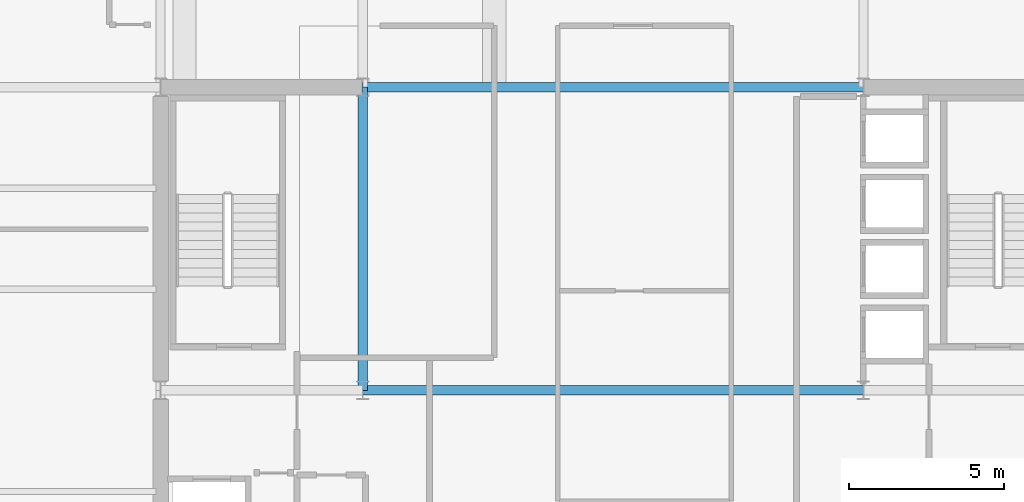
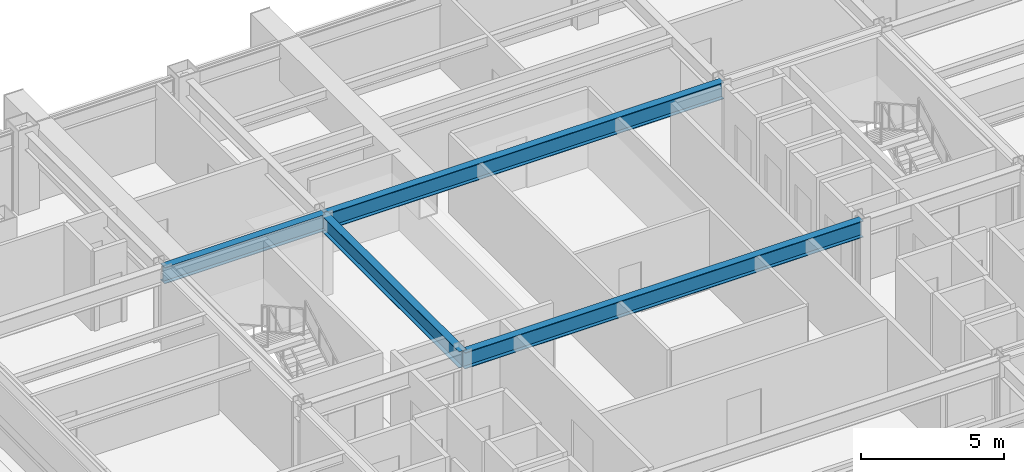
# One storey, part 12 of 34: 4 beams.
"""IFC4 building model written with IfcOpenShell, lengths in metres."""

import ifcopenshell
import ifcopenshell.guid

model = None  # the IFC model being written
_history = None  # IfcOwnerHistory: only IFC2X3 demands one
_inside = {}  # id of a spatial element -> (the spatial element, [elements in it])
_under = {}  # id of a project, library or spatial element -> (it, [spatial elements below it])
_declared = {}  # id of a project -> (the project, [libraries it declares])
_typed = {}  # id of a type object -> (the type object, [elements of that type])
_made_of = {}  # id of a material, layer set ... -> (it, [elements and type objects made of it])


def new_model(schema):
    """Start an empty IFC model of exactly this schema.

    Asked for "IFC4X3", IfcOpenShell would pick the latest addendum, in which some entities
    have other attributes; the version numbers below select the first issue.
    IFC2X3 requires an IfcOwnerHistory on every rooted entity: one is made here for all.
    """
    global model, _history
    if schema == "IFC4X3":
        model = ifcopenshell.file(schema_version=(4, 3, 0, 0))
    else:
        model = ifcopenshell.file(schema=schema)
    _inside.clear()
    _under.clear()
    _declared.clear()
    _typed.clear()
    _made_of.clear()
    _history = None
    if model.schema == "IFC2X3":
        org = make("IfcOrganization", Name="unknown")
        user = make(
            "IfcPersonAndOrganization",
            ThePerson=make("IfcPerson", FamilyName="unknown"),
            TheOrganization=org,
        )
        app = make(
            "IfcApplication",
            ApplicationDeveloper=org,
            Version="unknown",
            ApplicationFullName="unknown",
            ApplicationIdentifier="unknown",
        )
        _history = make(
            "IfcOwnerHistory",
            OwningUser=user,
            OwningApplication=app,
            ChangeAction="ADDED",
            CreationDate=0,
        )
    return model


def make(cls, **values):
    """One entity of the class cls with the attributes given. An attribute that is None is left unset."""
    return model.create_entity(
        cls, **{name: value for name, value in values.items() if value is not None}
    )


def rooted(cls, **values):
    """An entity with a GlobalId (a new one), such as an element, a storey or a relation."""
    return make(cls, GlobalId=ifcopenshell.guid.new(), OwnerHistory=_history, **values)


def si_unit(unit_type, name, prefix=None):
    """IfcSIUnit, for example si_unit("LENGTHUNIT", "METRE", prefix="MILLI")."""
    return make("IfcSIUnit", UnitType=unit_type, Prefix=prefix, Name=name)


def assignment(units):
    """IfcUnitAssignment: the units of a project."""
    return None if units is None else make("IfcUnitAssignment", Units=units)


def point(xyz):
    """IfcCartesianPoint."""
    return None if xyz is None else make("IfcCartesianPoint", Coordinates=xyz)


def direction(xyz):
    """IfcDirection."""
    return None if xyz is None else make("IfcDirection", DirectionRatios=xyz)


def frame(location, z_axis=None, x_axis=None):
    """IfcAxis2Placement3D, a coordinate frame: its origin and axes. An axis left out is left unset."""
    return make(
        "IfcAxis2Placement3D",
        Location=point(location),
        Axis=direction(z_axis),
        RefDirection=direction(x_axis),
    )


def frame_2d(location, x_axis=None):
    """IfcAxis2Placement2D, a coordinate frame in the plane: its origin and x axis."""
    return make(
        "IfcAxis2Placement2D", Location=point(location), RefDirection=direction(x_axis)
    )


def origin():
    """The frame at (0, 0, 0) with its axes left unset."""
    return frame((0.0, 0.0, 0.0))


def origin_2d():
    """The frame at (0, 0) in the plane with its x axis left unset."""
    return frame_2d((0.0, 0.0))


def place(relative_to, where):
    """IfcLocalPlacement: puts the frame where relative to a parent placement (None: the world)."""
    return make(
        "IfcLocalPlacement", PlacementRelTo=relative_to, RelativePlacement=where
    )


def context(
    kind, dimensions, precision=None, world=None, true_north=None, identifier=None
):
    """IfcGeometricRepresentationContext, for example the 3D "Model" context."""
    return make(
        "IfcGeometricRepresentationContext",
        ContextIdentifier=identifier,
        ContextType=kind,
        CoordinateSpaceDimension=dimensions,
        Precision=precision,
        WorldCoordinateSystem=world,
        TrueNorth=true_north,
    )


def subcontext(parent, identifier, kind, view, scale=None):
    """IfcGeometricRepresentationSubContext, for example "Body" below "Model"."""
    return make(
        "IfcGeometricRepresentationSubContext",
        ContextIdentifier=identifier,
        ContextType=kind,
        ParentContext=parent,
        TargetScale=scale,
        TargetView=view,
    )


def project(units=None, contexts=None):
    """IfcProject with its units and contexts."""
    return rooted(
        "IfcProject",
        Name="project",
        RepresentationContexts=contexts,
        UnitsInContext=assignment(units),
    )


def spatial(cls, under=None, at=None, **own):
    """A site, building, storey or space (cls), placed at a placement, below another one or the project."""
    s = rooted(cls, ObjectPlacement=at, **own)
    if under is not None:
        _under.setdefault(under.id(), (under, []))[1].append(s)
    return s


def profile(cls, at=None, kind="AREA", **sizes):
    """A parametric profile (cls). Its sizes go by their IFC names, for example OverallWidth=200.0."""
    return make(cls, ProfileType=kind, Position=at, **sizes)


def i_section(**sizes):
    """IfcIShapeProfileDef."""
    return profile("IfcIShapeProfileDef", **sizes)


def extrude(swept, where, along, depth):
    """IfcExtrudedAreaSolid: the profile swept, set in the frame where, extruded along a direction by depth."""
    return make(
        "IfcExtrudedAreaSolid",
        SweptArea=swept,
        Position=where,
        ExtrudedDirection=direction(along),
        Depth=depth,
    )


def shape(context_of_items, identifier, shape_type, items):
    """IfcShapeRepresentation: the items that make up one representation, for example the "Body"."""
    return make(
        "IfcShapeRepresentation",
        ContextOfItems=context_of_items,
        RepresentationIdentifier=identifier,
        RepresentationType=shape_type,
        Items=items,
    )


def material(Name=None, Category=None):
    """IfcMaterial."""
    return make("IfcMaterial", Name=Name, Category=Category)


def material_profile(
    of_material, cross_section, Name=None, Category=None, Priority=None
):
    """IfcMaterialProfile: a cross section and its material."""
    return make(
        "IfcMaterialProfile",
        Name=Name,
        Material=of_material,
        Profile=cross_section,
        Priority=Priority,
        Category=Category,
    )


def profile_set(profiles, Name=None, composite=None):
    """IfcMaterialProfileSet."""
    return make(
        "IfcMaterialProfileSet",
        Name=Name,
        MaterialProfiles=profiles,
        CompositeProfile=composite,
    )


def made_of(thing, what):
    """Note that an element or type object is made of a material, layer set ...; save() writes the relation."""
    if what is not None:
        _made_of.setdefault(what.id(), (what, []))[1].append(thing)
    return thing


def type_object(cls, material=None, **own):
    """A type object (cls), such as IfcWallType, which elements share."""
    return made_of(rooted(cls, **own), material)


def element(
    cls,
    number,
    at=None,
    inside=None,
    cuts=None,
    type_object=None,
    material=None,
    context=None,
    identifier="Body",
    shape_type=None,
    held_by="IfcProductDefinitionShape",
    body=None,
    shapes=None,
    **own,
):
    """One element of the class cls, such as IfcWall. Its Tag is "e" and its number.

    at: its placement. inside: the storey or other place that contains it. cuts: it is an
    opening in that element (IfcRelVoidsElement). A single representation is given by context,
    identifier, shape_type and body (its items); several are given by shapes. held_by: the class
    of the entity that holds the representations. save() writes the other relations.
    """
    e = rooted(cls, Tag="e%d" % number, ObjectPlacement=at, **own)
    if body is not None:
        shapes = [shape(context, identifier, shape_type, body)]
    if shapes is not None:
        e.Representation = make(held_by, Representations=shapes)
    if inside is not None:
        _inside.setdefault(inside.id(), (inside, []))[1].append(e)
    if cuts is not None:
        rooted(
            "IfcRelVoidsElement", RelatingBuildingElement=cuts, RelatedOpeningElement=e
        )
    if type_object is not None:
        _typed.setdefault(type_object.id(), (type_object, []))[1].append(e)
    return made_of(e, material)


def aggregate(whole, parts):
    """IfcRelAggregates: a whole, such as a stair, and the parts it consists of."""
    return rooted("IfcRelAggregates", RelatingObject=whole, RelatedObjects=parts)


def save(model, path):
    """Write the relations noted so far, then the file.

    IfcRelAggregates (storeys below a building ...), IfcRelContainedInSpatialStructure (elements
    in a storey), IfcRelDefinesByType, IfcRelAssociatesMaterial and IfcRelDeclares: one each for
    every whole, place, type object, material and project.
    """
    for whole, parts in _under.values():
        aggregate(whole, parts)
    for where, things in _inside.values():
        rooted(
            "IfcRelContainedInSpatialStructure",
            RelatedElements=things,
            RelatingStructure=where,
        )
    for kind, things in _typed.values():
        rooted("IfcRelDefinesByType", RelatedObjects=things, RelatingType=kind)
    for what, things in _made_of.values():
        rooted("IfcRelAssociatesMaterial", RelatedObjects=things, RelatingMaterial=what)
    for by, libraries in _declared.values():
        rooted("IfcRelDeclares", RelatingContext=by, RelatedDefinitions=libraries)
    model.write(path)


model = new_model("IFC4")

# Units and contexts
model_context = context("Model", 3, precision=1e-05, world=origin(), true_north=direction((0.0, 1.0)))
body_context = subcontext(model_context, "Body", "Model", "MODEL_VIEW")
ifc_project = project(units=[si_unit("LENGTHUNIT", "METRE"), si_unit("AREAUNIT", "SQUARE_METRE"), si_unit("VOLUMEUNIT", "CUBIC_METRE"), si_unit("PLANEANGLEUNIT", "RADIAN"), si_unit("MASSUNIT", "GRAM", prefix="KILO")], contexts=[model_context])

# Site, building, storey
site_placement = place(None, origin())
site = spatial("IfcSite", under=ifc_project, at=site_placement, CompositionType="ELEMENT")
building_placement = place(site_placement, origin())
building = spatial("IfcBuilding", under=site, at=building_placement, Name="Brelmoor Portico Tower", CompositionType="ELEMENT")
storey_placement = place(building_placement, frame((0.0, 0.0, 117.0)))
storey = spatial("IfcBuildingStorey", under=building, at=storey_placement, Name="L30", CompositionType="ELEMENT", Elevation=117.0)

# Beams
ifc_material = material(Name="Steel Q355B", Category="steel")
ifc_material_profile = material_profile(ifc_material, i_section(OverallWidth=0.300048828125, OverallDepth=0.699951171875, WebThickness=0.012939453125, FlangeThickness=0.02392578125, at=origin_2d()), Name="HN 700x300x13x24")
ifc_profile_set = profile_set([ifc_material_profile], Name="Steel Q355B")
beam_type = type_object("IfcBeamType", Name="BM-PG-700", PredefinedType="BEAM", material=ifc_profile_set)
beam_1_placement = place(storey_placement, frame((-8.050048828125, 0.0, 3.050048828125), z_axis=(0.0, 1.0, 0.0), x_axis=(-1.0, 0.0, 0.0)))
element("IfcBeam", 1, at=beam_1_placement, inside=storey, type_object=beam_type, Name="L30 Primary Floor Girder PG-06", PredefinedType="BEAM", context=body_context, shape_type="SweptSolid", body=[
    extrude(i_section(OverallWidth=0.300048828125, OverallDepth=0.699951171875, WebThickness=0.012939453125, FlangeThickness=0.02392578125, at=origin_2d()), origin(), (0.0, 0.0, 1.0), 9.75),
])
beam_2_placement = place(storey_placement, frame((-8.050048828125, 0.0, 3.050048828125), z_axis=(1.0, 0.0, 0.0), x_axis=(0.0, 1.0, 0.0)))
element("IfcBeam", 2, at=beam_2_placement, inside=storey, type_object=beam_type, Name="L30 Primary Floor Girder PG-20", PredefinedType="BEAM", context=body_context, shape_type="SweptSolid", body=[
    extrude(i_section(OverallWidth=0.300048828125, OverallDepth=0.699951171875, WebThickness=0.012939453125, FlangeThickness=0.02392578125, at=origin_2d()), origin(), (0.0, 0.0, 1.0), 16.10009765625),
])
beam_3_placement = place(storey_placement, frame((-14.550048828125, 9.75, 3.050048828125), z_axis=(1.0, 0.0, 0.0), x_axis=(0.0, 1.0, 0.0)))
element("IfcBeam", 3, at=beam_3_placement, inside=storey, type_object=beam_type, Name="L30 Primary Floor Girder PG-23", PredefinedType="BEAM", context=body_context, shape_type="SweptSolid", body=[
    extrude(i_section(OverallWidth=0.300048828125, OverallDepth=0.699951171875, WebThickness=0.012939453125, FlangeThickness=0.02392578125, at=origin_2d()), origin(), (0.0, 0.0, 1.0), 6.5),
])
beam_4_placement = place(storey_placement, frame((-8.050048828125, 9.75, 3.050048828125), z_axis=(1.0, 0.0, 0.0), x_axis=(0.0, 1.0, 0.0)))
element("IfcBeam", 4, at=beam_4_placement, inside=storey, type_object=beam_type, Name="L30 Primary Floor Girder PG-24", PredefinedType="BEAM", context=body_context, shape_type="SweptSolid", body=[
    extrude(i_section(OverallWidth=0.300048828125, OverallDepth=0.699951171875, WebThickness=0.012939453125, FlangeThickness=0.02392578125, at=origin_2d()), origin(), (0.0, 0.0, 1.0), 16.10009765625),
])

save(model, "model.ifc")
